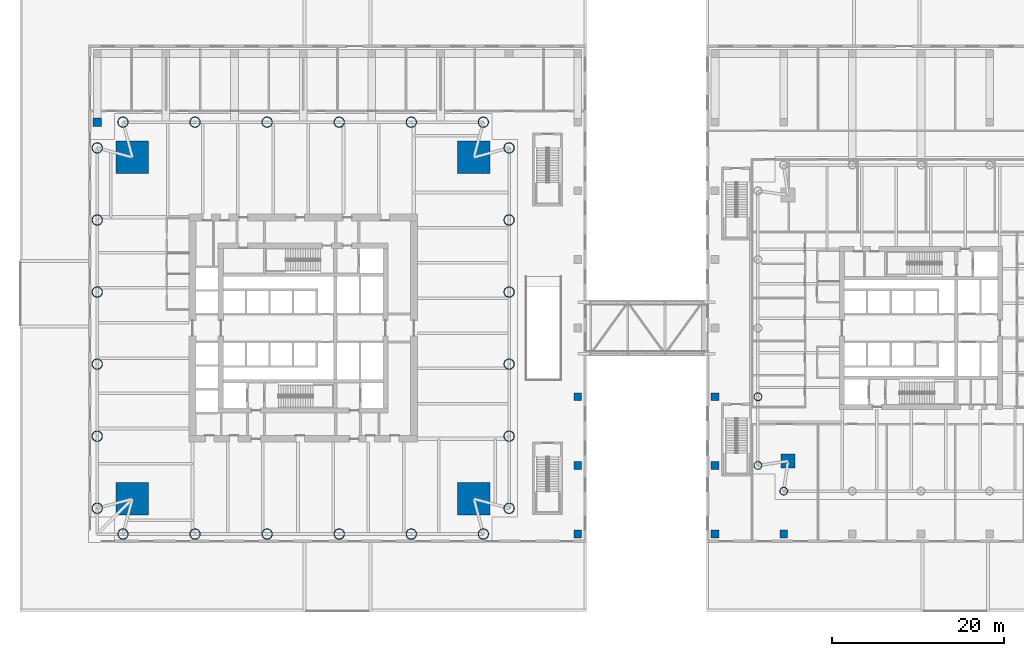
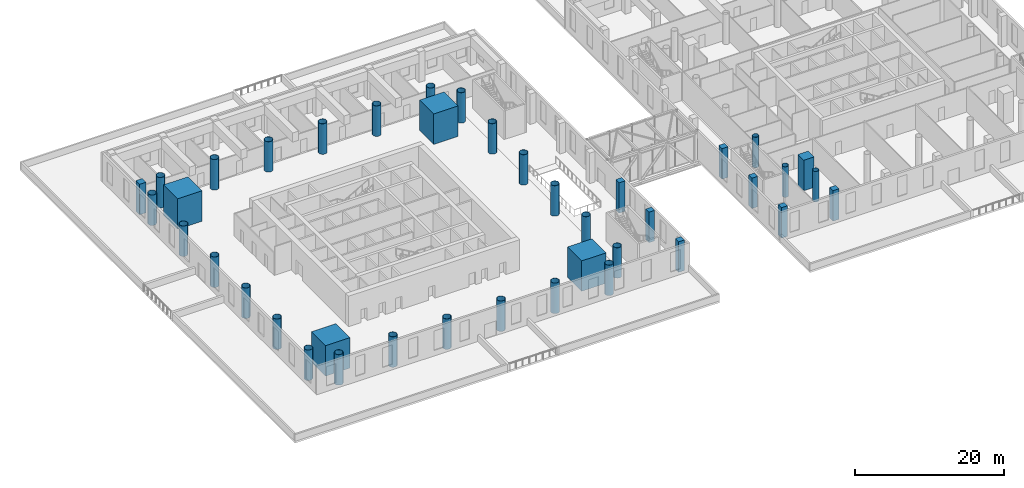
# One storey, part 1 of 23: 40 columns.
"""IFC4 building model written with IfcOpenShell, lengths in metres."""

from ifc_helpers import new_model, si_unit, direction, frame, origin, origin_2d, place, context, subcontext, project, spatial, rectangle, hollow_circle, extrude, material, material_profile, profile_set, type_object, element, save


model = new_model("IFC4")

# Units and contexts
model_context = context("Model", 3, precision=1e-05, world=origin(), true_north=direction((0.0, 1.0)))
body_context = subcontext(model_context, "Body", "Model", "MODEL_VIEW")
ifc_project = project(units=[si_unit("LENGTHUNIT", "METRE"), si_unit("AREAUNIT", "SQUARE_METRE"), si_unit("VOLUMEUNIT", "CUBIC_METRE"), si_unit("PLANEANGLEUNIT", "RADIAN"), si_unit("MASSUNIT", "GRAM", prefix="KILO")], contexts=[model_context])

# Site, building, storey
site_placement = place(None, origin())
site = spatial("IfcSite", under=ifc_project, at=site_placement, CompositionType="ELEMENT")
building_placement = place(site_placement, origin())
building = spatial("IfcBuilding", under=site, at=building_placement, Name="Ostroluk Exchange", CompositionType="ELEMENT")
storey_placement = place(building_placement, frame((0.0, 0.0, 11.0)))
storey = spatial("IfcBuildingStorey", under=building, at=storey_placement, Name="L02", CompositionType="ELEMENT", Elevation=11.0)

# Columns
ifc_material_1 = material(Name="Concrete C50/60", Category="concrete")
ifc_material_profile_1 = material_profile(ifc_material_1, rectangle(XDim=1.60009765625, YDim=1.60009765625, at=origin_2d()), Name="RC 1600x1600")
ifc_profile_set_1 = profile_set([ifc_material_profile_1], Name="Concrete C50/60")
column_type_1 = type_object("IfcColumnType", Name="Mega column RC 1600x1600", PredefinedType="COLUMN", material=ifc_profile_set_1)
column_1_placement = place(storey_placement, frame((101.5, 30.5, 0.0), z_axis=(0.0, 0.0, 1.0), x_axis=(1.0, 0.0, 0.0)))
element("IfcColumn", 1, at=column_1_placement, inside=storey, type_object=column_type_1, Name="T2 mega column SW", PredefinedType="COLUMN", context=body_context, shape_type="SweptSolid", body=[
    extrude(rectangle(XDim=1.60009765625, YDim=1.60009765625, at=origin_2d()), origin(), (0.0, 0.0, 1.0), 5.0),
])
ifc_material_2 = material(Name="Concrete C50/60", Category="concrete")
ifc_material_profile_2 = material_profile(ifc_material_2, rectangle(XDim=3.800048828125, YDim=3.800048828125, at=origin_2d()), Name="RC 3800x3800")
ifc_profile_set_2 = profile_set([ifc_material_profile_2], Name="Concrete C50/60")
column_type_2 = type_object("IfcColumnType", Name="Mega column RC 3800x3800", PredefinedType="COLUMN", material=ifc_profile_set_2)
for number, where, z_axis, x_axis, name in (
    (2, (64.89990234375, 65.89990234375, 0.0), (0.0, 0.0, 1.0), (1.0, 0.0, 0.0), "T1 mega column NE"),
    (3, (25.10009765625, 65.89990234375, 0.0), (0.0, 0.0, 1.0), (1.0, 0.0, 0.0), "T1 mega column NW"),
    (4, (25.10009765625, 26.10009765625, 0.0), (0.0, 0.0, 1.0), (1.0, 0.0, 0.0), "T1 mega column SW"),
    (5, (64.89990234375, 26.10009765625, 0.0), (0.0, 0.0, 1.0), (1.0, 0.0, 0.0), "T1 mega column SE"),
):
    element("IfcColumn", number, at=place(storey_placement, frame(where, z_axis=z_axis, x_axis=x_axis)), inside=storey, type_object=column_type_2, Name=name, PredefinedType="COLUMN", context=body_context, shape_type="SweptSolid", body=[
        extrude(rectangle(XDim=3.800048828125, YDim=3.800048828125, at=origin_2d()), origin(), (0.0, 0.0, 1.0), 5.0),
    ])
ifc_material_3 = material(Name="Steel S460", Category="steel")
ifc_material_profile_3 = material_profile(ifc_material_3, hollow_circle(Radius=0.609619140625, WallThickness=0.0400390625, at=origin_2d()), Name="CHS 1219x40")
ifc_profile_set_3 = profile_set([ifc_material_profile_3], Name="Steel S460")
column_type_3 = type_object("IfcColumnType", Name="Perimeter column CHS 1219x40", PredefinedType="COLUMN", material=ifc_profile_set_3)
for number, where, z_axis, x_axis, name in (
    (6, (69.0, 25.0, 0.0), (0.0, 0.0, 1.0), (1.0, 0.0, 0.0), "T1 east face column E0"),
    (7, (69.0, 67.0, 0.0), (0.0, 0.0, 1.0), (1.0, 0.0, 0.0), "T1 east face column E1"),
    (8, (69.0, 33.39990234375, 0.0), (0.0, 0.0, 1.0), (1.0, 0.0, 0.0), "T1 east face column I1"),
    (9, (69.0, 41.800048828125, 0.0), (0.0, 0.0, 1.0), (1.0, 0.0, 0.0), "T1 east face column I2"),
    (10, (69.0, 50.199951171875, 0.0), (0.0, 0.0, 1.0), (1.0, 0.0, 0.0), "T1 east face column I3"),
    (11, (69.0, 58.60009765625, 0.0), (0.0, 0.0, 1.0), (1.0, 0.0, 0.0), "T1 east face column I4"),
    (12, (66.0, 70.0, 0.0), (0.0, 0.0, 1.0), (1.0, 0.0, 0.0), "T1 north face column E0"),
    (13, (24.0, 70.0, 0.0), (0.0, 0.0, 1.0), (1.0, 0.0, 0.0), "T1 north face column E1"),
    (14, (57.60009765625, 70.0, 0.0), (0.0, 0.0, 1.0), (1.0, 0.0, 0.0), "T1 north face column I1"),
    (15, (49.199951171875, 70.0, 0.0), (0.0, 0.0, 1.0), (1.0, 0.0, 0.0), "T1 north face column I2"),
    (16, (40.800048828125, 70.0, 0.0), (0.0, 0.0, 1.0), (1.0, 0.0, 0.0), "T1 north face column I3"),
    (17, (32.39990234375, 70.0, 0.0), (0.0, 0.0, 1.0), (1.0, 0.0, 0.0), "T1 north face column I4"),
    (18, (21.0, 67.0, 0.0), (0.0, 0.0, 1.0), (1.0, 0.0, 0.0), "T1 west face column E0"),
    (19, (21.0, 25.0, 0.0), (0.0, 0.0, 1.0), (1.0, 0.0, 0.0), "T1 west face column E1"),
    (20, (21.0, 58.60009765625, 0.0), (0.0, 0.0, 1.0), (1.0, 0.0, 0.0), "T1 west face column I1"),
    (21, (21.0, 50.199951171875, 0.0), (0.0, 0.0, 1.0), (1.0, 0.0, 0.0), "T1 west face column I2"),
    (22, (21.0, 41.800048828125, 0.0), (0.0, 0.0, 1.0), (1.0, 0.0, 0.0), "T1 west face column I3"),
    (23, (21.0, 33.39990234375, 0.0), (0.0, 0.0, 1.0), (1.0, 0.0, 0.0), "T1 west face column I4"),
    (24, (24.0, 22.0, 0.0), (0.0, 0.0, 1.0), (1.0, 0.0, 0.0), "T1 south face column E0"),
    (25, (66.0, 22.0, 0.0), (0.0, 0.0, 1.0), (1.0, 0.0, 0.0), "T1 south face column E1"),
    (26, (32.39990234375, 22.0, 0.0), (0.0, 0.0, 1.0), (1.0, 0.0, 0.0), "T1 south face column I1"),
    (27, (40.800048828125, 22.0, 0.0), (0.0, 0.0, 1.0), (1.0, 0.0, 0.0), "T1 south face column I2"),
    (28, (49.199951171875, 22.0, 0.0), (0.0, 0.0, 1.0), (1.0, 0.0, 0.0), "T1 south face column I3"),
    (29, (57.60009765625, 22.0, 0.0), (0.0, 0.0, 1.0), (1.0, 0.0, 0.0), "T1 south face column I4"),
):
    element("IfcColumn", number, at=place(storey_placement, frame(where, z_axis=z_axis, x_axis=x_axis)), inside=storey, type_object=column_type_3, Name=name, PredefinedType="COLUMN", context=body_context, shape_type="SweptSolid", body=[
        extrude(hollow_circle(Radius=0.609619140625, WallThickness=0.0400390625, at=origin_2d()), origin(), (0.0, 0.0, 1.0), 5.0),
    ])
ifc_material_4 = material(Name="Steel S460", Category="steel")
ifc_material_profile_4 = material_profile(ifc_material_4, hollow_circle(Radius=0.45703125, WallThickness=0.030029296875, at=origin_2d()), Name="CHS 914x30")
ifc_profile_set_4 = profile_set([ifc_material_profile_4], Name="Steel S460")
column_type_4 = type_object("IfcColumnType", Name="Perimeter column CHS 914x30", PredefinedType="COLUMN", material=ifc_profile_set_4)
for number, where, z_axis, x_axis, name in (
    (30, (98.0, 30.0, 0.0), (0.0, 0.0, 1.0), (1.0, 0.0, 0.0), "T2 west face column E1"),
    (31, (98.0, 38.0, 0.0), (0.0, 0.0, 1.0), (1.0, 0.0, 0.0), "T2 west face column I3"),
    (32, (101.0, 27.0, 0.0), (0.0, 0.0, 1.0), (1.0, 0.0, 0.0), "T2 south face column E0"),
):
    element("IfcColumn", number, at=place(storey_placement, frame(where, z_axis=z_axis, x_axis=x_axis)), inside=storey, type_object=column_type_4, Name=name, PredefinedType="COLUMN", context=body_context, shape_type="SweptSolid", body=[
        extrude(hollow_circle(Radius=0.45703125, WallThickness=0.030029296875, at=origin_2d()), origin(), (0.0, 0.0, 1.0), 5.0),
    ])
ifc_material_5 = material(Name="Concrete C50/60", Category="concrete")
ifc_material_profile_5 = material_profile(ifc_material_5, rectangle(XDim=1.0, YDim=1.0, at=origin_2d()), Name="RC 1000x1000")
ifc_profile_set_5 = profile_set([ifc_material_profile_5], Name="Concrete C50/60")
column_type_5 = type_object("IfcColumnType", Name="Podium column RC 1000x1000", PredefinedType="COLUMN", material=ifc_profile_set_5)
column_2_placement = place(storey_placement, frame((21.0, 70.0, 0.0), z_axis=(0.0, 0.0, 1.0), x_axis=(1.0, 0.0, 0.0)))
element("IfcColumn", 33, at=column_2_placement, inside=storey, type_object=column_type_5, Name="Podium column 21/70", PredefinedType="COLUMN", context=body_context, shape_type="SweptSolid", body=[
    extrude(rectangle(XDim=1.0, YDim=1.0, at=origin_2d()), origin(), (0.0, 0.0, 1.0), 5.0),
])
ifc_material_6 = material(Name="Concrete C50/60", Category="concrete")
ifc_material_profile_6 = material_profile(ifc_material_6, rectangle(XDim=0.89990234375, YDim=0.89990234375, at=origin_2d()), Name="RC 900x900")
ifc_profile_set_6 = profile_set([ifc_material_profile_6], Name="Concrete C50/60")
column_type_6 = type_object("IfcColumnType", Name="Podium column RC 900x900", PredefinedType="COLUMN", material=ifc_profile_set_6)
for number, where, z_axis, x_axis, name in (
    (34, (77.0, 22.0, 0.0), (0.0, 0.0, 1.0), (1.0, 0.0, 0.0), "Podium column 77/22"),
    (35, (77.0, 30.0, 0.0), (0.0, 0.0, 1.0), (1.0, 0.0, 0.0), "Podium column 77/30"),
    (36, (77.0, 38.0, 0.0), (0.0, 0.0, 1.0), (1.0, 0.0, 0.0), "Podium column 77/38"),
    (37, (93.0, 22.0, 0.0), (0.0, 0.0, 1.0), (1.0, 0.0, 0.0), "Podium column 93/22"),
    (38, (93.0, 30.0, 0.0), (0.0, 0.0, 1.0), (1.0, 0.0, 0.0), "Podium column 93/30"),
    (39, (93.0, 38.0, 0.0), (0.0, 0.0, 1.0), (1.0, 0.0, 0.0), "Podium column 93/38"),
    (40, (101.0, 22.0, 0.0), (0.0, 0.0, 1.0), (1.0, 0.0, 0.0), "Podium column 101/22"),
):
    element("IfcColumn", number, at=place(storey_placement, frame(where, z_axis=z_axis, x_axis=x_axis)), inside=storey, type_object=column_type_6, Name=name, PredefinedType="COLUMN", context=body_context, shape_type="SweptSolid", body=[
        extrude(rectangle(XDim=0.89990234375, YDim=0.89990234375, at=origin_2d()), origin(), (0.0, 0.0, 1.0), 5.0),
    ])

save(model, "model.ifc")
